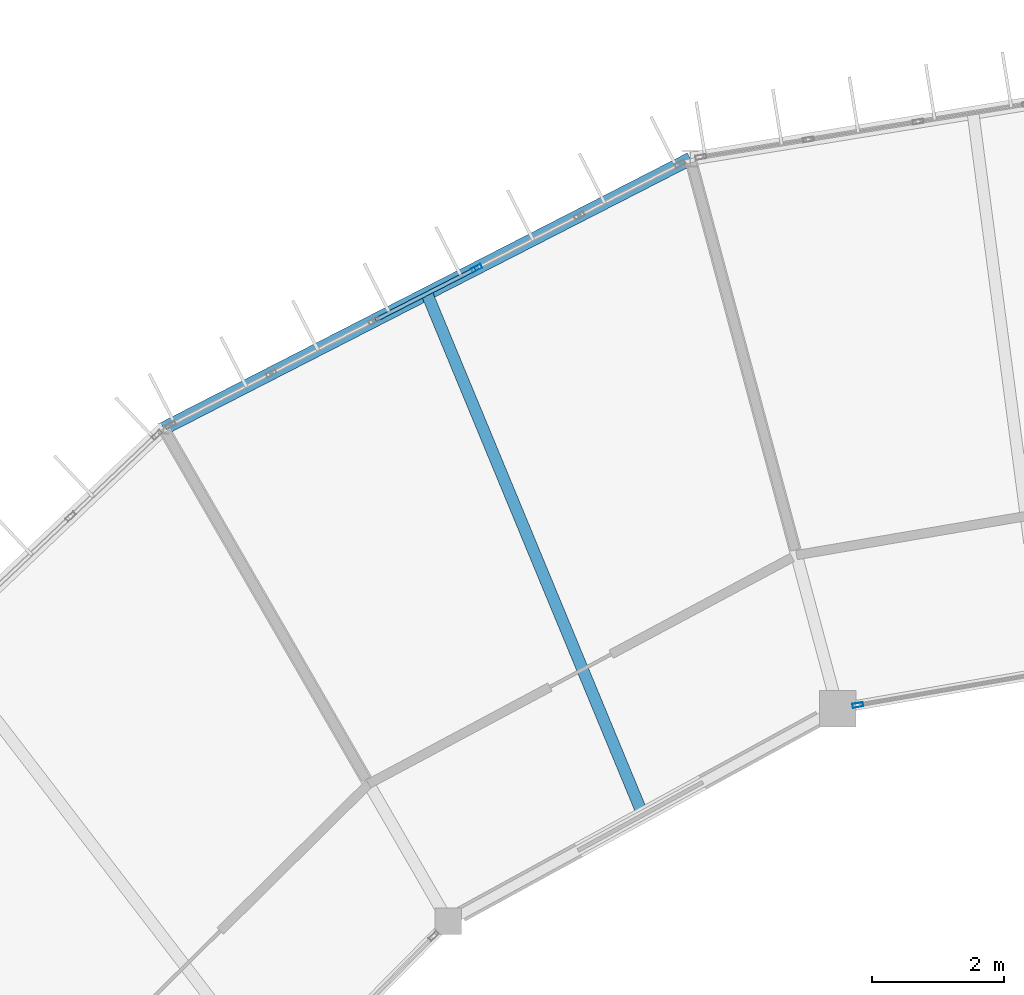
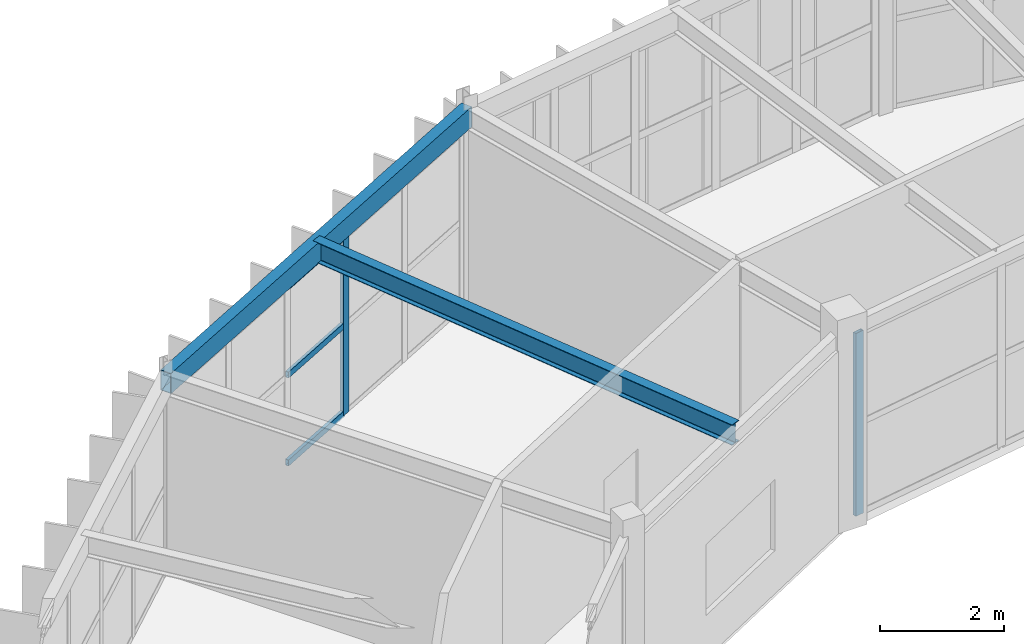
# One storey, part 61 of 106: 5 members, 2 beams, 2 elements without a shape of their own.
"""IFC4 building model written with IfcOpenShell, lengths in metres."""

from ifc_helpers import new_model, si_unit, direction, frame, origin, origin_2d, place, context, subcontext, project, spatial, hollow_rectangle, i_section, extrude, material, material_profile, profile_set, type_object, element, aggregate, save


model = new_model("IFC4")

# Units and contexts
model_context = context("Model", 3, precision=1e-05, world=origin(), true_north=direction((0.0, 1.0)))
body_context = subcontext(model_context, "Body", "Model", "MODEL_VIEW")
ifc_project = project(units=[si_unit("LENGTHUNIT", "METRE"), si_unit("AREAUNIT", "SQUARE_METRE"), si_unit("VOLUMEUNIT", "CUBIC_METRE"), si_unit("PLANEANGLEUNIT", "RADIAN"), si_unit("MASSUNIT", "GRAM", prefix="KILO")], contexts=[model_context])

# Site, building, storey
site_placement = place(None, origin())
site = spatial("IfcSite", under=ifc_project, at=site_placement, CompositionType="ELEMENT")
building_placement = place(site_placement, origin())
building = spatial("IfcBuilding", under=site, at=building_placement, Name="Karori Crest Natural Sciences Institute", CompositionType="ELEMENT")
storey_placement = place(building_placement, frame((0.0, 0.0, 25.89990234375)))
storey = spatial("IfcBuildingStorey", under=building, at=storey_placement, Name="L06", CompositionType="ELEMENT", Elevation=25.89990234375)

# Beams
ifc_material_1 = material(Name="Structural steel AS/NZS 3679.1 Grade 350", Category="steel")
ifc_material_profile_1 = material_profile(ifc_material_1, i_section(OverallWidth=0.177978515625, OverallDepth=0.406005859375, WebThickness=0.0078125, FlangeThickness=0.0126953125, FilletRadius=0.010986328125, at=origin_2d()), Name="410UB59.7")
ifc_profile_set_1 = profile_set([ifc_material_profile_1], Name="Structural steel AS/NZS 3679.1 Grade 350")
beam_type_1 = type_object("IfcBeamType", Name="BT-07", PredefinedType="BEAM", material=ifc_profile_set_1)
beam_1_placement = place(storey_placement, frame((57.142333984375, 79.394287109375, 3.739990234375), z_axis=(-0.382683070567, 0.923879682373, 0.0), x_axis=(-0.923879682373, -0.382683070567, 0.0)))
element("IfcBeam", 1, at=beam_1_placement, inside=storey, type_object=beam_type_1, Name="Beam B-2888", PredefinedType="BEAM", context=body_context, shape_type="SweptSolid", body=[
    extrude(i_section(OverallWidth=0.177978515625, OverallDepth=0.406005859375, WebThickness=0.0078125, FlangeThickness=0.0126953125, FilletRadius=0.010986328125, at=origin_2d()), origin(), (0.0, 0.0, 1.0), 8.5263671875),
])
ifc_material_2 = material(Name="Hollow structural steel AS/NZS 1163 Grade C350", Category="steel")
ifc_material_profile_2 = material_profile(ifc_material_2, hollow_rectangle(XDim=0.199951171875, YDim=0.39990234375, WallThickness=0.012451171875, at=origin_2d()), Name="RHS400x200x12.5")
ifc_profile_set_2 = profile_set([ifc_material_profile_2], Name="Hollow structural steel AS/NZS 1163 Grade C350")
beam_type_2 = type_object("IfcBeamType", Name="BT-14", PredefinedType="SPANDREL", material=ifc_profile_set_2)
beam_2_placement = place(storey_placement, frame((57.85888671875, 89.309814453125, 3.739990234375), z_axis=(-0.890071733872, -0.455820478436, 0.0), x_axis=(0.455820478436, -0.890071733872, 0.0)))
element("IfcBeam", 2, at=beam_2_placement, inside=storey, type_object=beam_type_2, Name="Beam B-0665", PredefinedType="SPANDREL", context=body_context, shape_type="SweptSolid", body=[
    extrude(hollow_rectangle(XDim=0.199951171875, YDim=0.39990234375, WallThickness=0.012451171875, at=origin_2d()), origin(), (0.0, 0.0, 1.0), 8.94189453125),
])

# Curtain wall, member
ifc_material_3 = material(Name="Anodised architectural aluminium 6063-T6", Category="aluminium")
curtain_wall_type_1 = type_object("IfcCurtainWallType", Name="CWT-12", PredefinedType="NOTDEFINED", material=ifc_material_3)
curtain_wall_1_placement = place(storey_placement, origin())
curtain_wall_1 = element("IfcCurtainWall", 3, at=curtain_wall_1_placement, inside=storey, type_object=curtain_wall_type_1, Name="Curtain wall CW-0230", PredefinedType="NOTDEFINED")
ifc_material_profile_3 = material_profile(ifc_material_3, hollow_rectangle(XDim=0.06494140625, YDim=0.159912109375, WallThickness=0.00390625, at=origin_2d()), Name="CWM160x65x4")
ifc_profile_set_3 = profile_set([ifc_material_profile_3], Name="Anodised architectural aluminium 6063-T6")
member_type_1 = type_object("IfcMemberType", Name="CWM-01", PredefinedType="MULLION", material=ifc_profile_set_3)
member_1_placement = place(storey_placement, frame((60.389892578125, 81.0556640625, 0.0), z_axis=(0.0, 0.0, 1.0), x_axis=(0.171173924291, -0.985240827231, 0.0)))
member_1 = element("IfcMember", 4, at=member_1_placement, type_object=member_type_1, Name="CW-0230 mullion 3", PredefinedType="MULLION", context=body_context, shape_type="SweptSolid", body=[
    extrude(hollow_rectangle(XDim=0.06494140625, YDim=0.159912109375, WallThickness=0.00390625, at=origin_2d()), origin(), (0.0, 0.0, 1.0), 3.60009765625),
])
aggregate(curtain_wall_1, [member_1])

# Curtain wall, members
curtain_wall_type_2 = type_object("IfcCurtainWallType", Name="CWT-08", PredefinedType="NOTDEFINED", material=ifc_material_3)
curtain_wall_2_placement = place(storey_placement, origin())
curtain_wall_2 = element("IfcCurtainWall", 5, at=curtain_wall_2_placement, inside=storey, type_object=curtain_wall_type_2, Name="Curtain wall CW-0231", PredefinedType="NOTDEFINED")
member_2_placement = place(storey_placement, frame((54.63037109375, 87.65625, 0.0), z_axis=(0.0, 0.0, 1.0), x_axis=(-0.455828878252, 0.890067432138, 0.0)))
member_2 = element("IfcMember", 6, at=member_2_placement, type_object=member_type_1, Name="CW-0231 mullion 4", PredefinedType="MULLION", context=body_context, shape_type="SweptSolid", body=[
    extrude(hollow_rectangle(XDim=0.06494140625, YDim=0.159912109375, WallThickness=0.00390625, at=origin_2d()), origin(), (0.0, 0.0, 1.0), 3.525146484375),
])
ifc_material_profile_4 = material_profile(ifc_material_3, hollow_rectangle(XDim=0.06005859375, YDim=0.1201171875, WallThickness=0.00390625, at=origin_2d()), Name="CWT120x60x4")
ifc_profile_set_4 = profile_set([ifc_material_profile_4], Name="Anodised architectural aluminium 6063-T6")
member_type_2 = type_object("IfcMemberType", Name="CWT-TR1", PredefinedType="USERDEFINED", material=ifc_profile_set_4)
member_3_placement = place(storey_placement, frame((53.107666015625, 86.87646484375, 0.030029296875), z_axis=(0.890020328927, 0.455920841919, 0.0), x_axis=(-0.455920841919, 0.890020328927, 0.0)))
member_3 = element("IfcMember", 7, at=member_3_placement, type_object=member_type_2, Name="CW-0231 transom 3.1", ObjectType="TRANSOM", PredefinedType="USERDEFINED", context=body_context, shape_type="SweptSolid", body=[
    extrude(hollow_rectangle(XDim=0.06005859375, YDim=0.1201171875, WallThickness=0.00390625, at=origin_2d()), origin(), (0.0, 0.0, 1.0), 1.67822265625),
])
member_4_placement = place(storey_placement, frame((53.107666015625, 86.87646484375, 1.7626953125), z_axis=(0.890020328927, 0.455920841919, 0.0), x_axis=(-0.455920841919, 0.890020328927, 0.0)))
member_4 = element("IfcMember", 8, at=member_4_placement, type_object=member_type_2, Name="CW-0231 transom 3.2", ObjectType="TRANSOM", PredefinedType="USERDEFINED", context=body_context, shape_type="SweptSolid", body=[
    extrude(hollow_rectangle(XDim=0.06005859375, YDim=0.1201171875, WallThickness=0.00390625, at=origin_2d()), origin(), (0.0, 0.0, 1.0), 1.67822265625),
])
member_5_placement = place(storey_placement, frame((53.107666015625, 86.87646484375, 3.4951171875), z_axis=(0.890020328927, 0.455920841919, 0.0), x_axis=(-0.455920841919, 0.890020328927, 0.0)))
member_5 = element("IfcMember", 9, at=member_5_placement, type_object=member_type_2, Name="CW-0231 transom 3.3", ObjectType="TRANSOM", PredefinedType="USERDEFINED", context=body_context, shape_type="SweptSolid", body=[
    extrude(hollow_rectangle(XDim=0.06005859375, YDim=0.1201171875, WallThickness=0.00390625, at=origin_2d()), origin(), (0.0, 0.0, 1.0), 1.67822265625),
])
aggregate(curtain_wall_2, [member_2, member_3, member_4, member_5])

save(model, "model.ifc")
